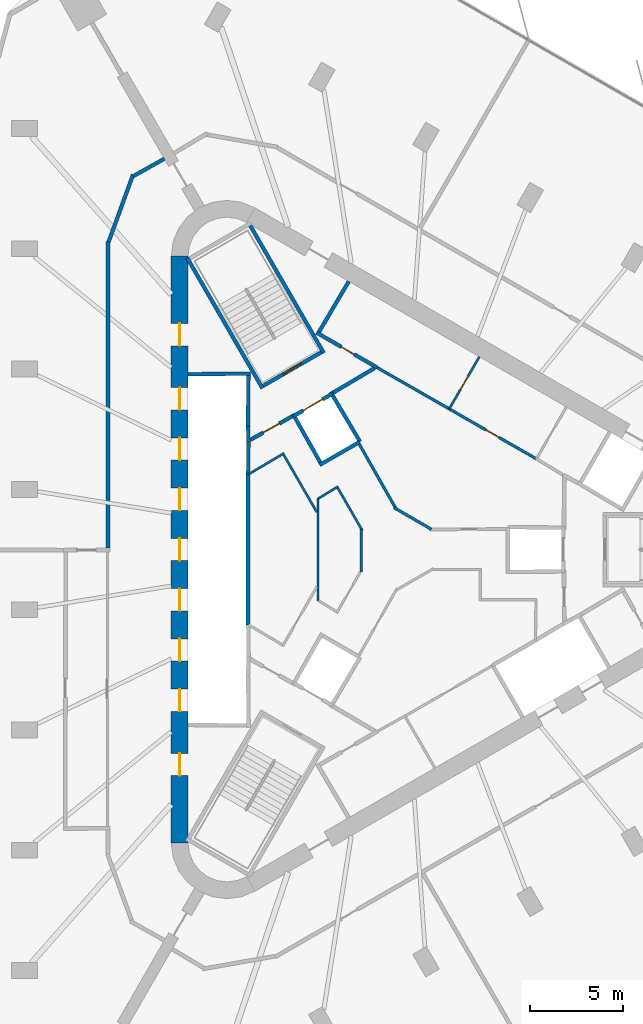
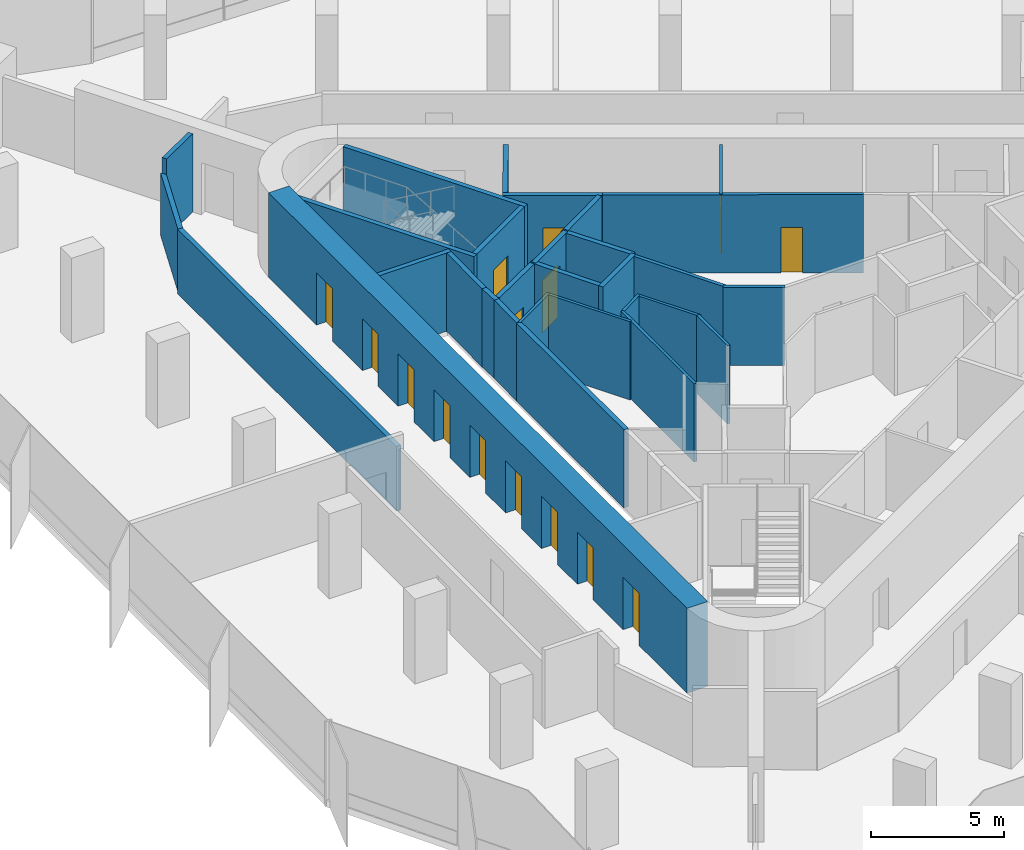
# One storey, part 9 of 12: 30 walls, 15 doors, 15 openings.
"""IFC4 building model written with IfcOpenShell, lengths in metres."""

from ifc_helpers import new_model, si_unit, direction, frame, frame_2d, origin, place, context, subcontext, project, spatial, rectangle, extrude, material, layer, layer_set, type_object, element, fill, save


model = new_model("IFC4")

# Units and contexts
model_context = context("Model", 3, precision=1e-05, world=origin(), true_north=direction((0.0, 1.0)))
body_context = subcontext(model_context, "Body", "Model", "MODEL_VIEW")
ifc_project = project(units=[si_unit("LENGTHUNIT", "METRE"), si_unit("AREAUNIT", "SQUARE_METRE"), si_unit("VOLUMEUNIT", "CUBIC_METRE"), si_unit("PLANEANGLEUNIT", "RADIAN"), si_unit("MASSUNIT", "GRAM", prefix="KILO")], contexts=[model_context])

# Site, building, storey
site_placement = place(None, origin())
site = spatial("IfcSite", under=ifc_project, at=site_placement, CompositionType="ELEMENT")
building_placement = place(site_placement, origin())
building = spatial("IfcBuilding", under=site, at=building_placement, Name="Tanit Gate Tower", CompositionType="ELEMENT")
storey_placement = place(building_placement, frame((0.0, 0.0, 337.699951171875)))
storey = spatial("IfcBuildingStorey", under=building, at=storey_placement, Name="L76", CompositionType="ELEMENT", Elevation=337.699951171875)

# Wall, openings, doors
ifc_material_1 = material(Name="Concrete C40/50", Category="concrete")
ifc_layer_1 = layer(ifc_material_1, 0.89990234375)
ifc_layer_set_1 = layer_set([ifc_layer_1], Name="CORE WALL 900 C40/50")
wall_type_1 = type_object("IfcWallType", Name="CORE WALL 900 C40/50", PredefinedType="SHEAR", material=ifc_layer_set_1)
wall_1_placement = place(storey_placement, frame((-11.64990234375, 15.76171875, 0.0), z_axis=(0.0, 0.0, 1.0), x_axis=(0.0, -1.0, 0.0)))
wall_1 = element("IfcWall", 1, at=wall_1_placement, inside=storey, type_object=wall_type_1, Name="CORE WALL", PredefinedType="SHEAR", context=body_context, shape_type="SweptSolid", body=[
    extrude(rectangle(XDim=31.5234375, YDim=0.89990234375, at=frame_2d((15.76171875, 0.0))), origin(), (0.0, 0.0, 1.0), 3.900146484375),
])
opening_1_placement = place(wall_1_placement, frame((7.061767578125, 0.0, 0.0)))
opening_1 = element("IfcOpeningElement", 2, at=opening_1_placement, cuts=wall_1, Name="Opening LDHL1-S21", PredefinedType="OPENING", context=body_context, shape_type="SweptSolid", body=[
    extrude(rectangle(XDim=1.199951171875, YDim=2.39990234375, at=frame_2d((0.60009765625, 1.199951171875))), frame((0.0, 0.4599609375, 0.0), z_axis=(0.0, -1.0, 0.0), x_axis=(1.0, 0.0, 0.0)), (0.0, 0.0, 1.0), 0.919921875),
])
opening_2_placement = place(wall_1_placement, frame((9.76171875, 0.0, 0.0)))
opening_2 = element("IfcOpeningElement", 3, at=opening_2_placement, cuts=wall_1, Name="Opening LDHL2-S21", PredefinedType="OPENING", context=body_context, shape_type="SweptSolid", body=[
    extrude(rectangle(XDim=1.199951171875, YDim=2.39990234375, at=frame_2d((0.60009765625, 1.199951171875))), frame((0.0, 0.4599609375, 0.0), z_axis=(0.0, -1.0, 0.0), x_axis=(1.0, 0.0, 0.0)), (0.0, 0.0, 1.0), 0.919921875),
])
opening_3_placement = place(wall_1_placement, frame((12.461669921875, 0.0, 0.0)))
opening_3 = element("IfcOpeningElement", 4, at=opening_3_placement, cuts=wall_1, Name="Opening LDHL3-S21", PredefinedType="OPENING", context=body_context, shape_type="SweptSolid", body=[
    extrude(rectangle(XDim=1.199951171875, YDim=2.39990234375, at=frame_2d((0.60009765625, 1.199951171875))), frame((0.0, 0.4599609375, 0.0), z_axis=(0.0, -1.0, 0.0), x_axis=(1.0, 0.0, 0.0)), (0.0, 0.0, 1.0), 0.919921875),
])
opening_4_placement = place(wall_1_placement, frame((15.16162109375, 0.0, 0.0)))
opening_4 = element("IfcOpeningElement", 5, at=opening_4_placement, cuts=wall_1, Name="Opening LDHL4-S21", PredefinedType="OPENING", context=body_context, shape_type="SweptSolid", body=[
    extrude(rectangle(XDim=1.199951171875, YDim=2.39990234375, at=frame_2d((0.60009765625, 1.199951171875))), frame((0.0, 0.4599609375, 0.0), z_axis=(0.0, -1.0, 0.0), x_axis=(1.0, 0.0, 0.0)), (0.0, 0.0, 1.0), 0.919921875),
])
opening_5_placement = place(wall_1_placement, frame((17.86181640625, 0.0, 0.0)))
opening_5 = element("IfcOpeningElement", 6, at=opening_5_placement, cuts=wall_1, Name="Opening LDHL5-S21", PredefinedType="OPENING", context=body_context, shape_type="SweptSolid", body=[
    extrude(rectangle(XDim=1.199951171875, YDim=2.39990234375, at=frame_2d((0.60009765625, 1.199951171875))), frame((0.0, 0.4599609375, 0.0), z_axis=(0.0, -1.0, 0.0), x_axis=(1.0, 0.0, 0.0)), (0.0, 0.0, 1.0), 0.919921875),
])
opening_6_placement = place(wall_1_placement, frame((20.561767578125, 0.0, 0.0)))
opening_6 = element("IfcOpeningElement", 7, at=opening_6_placement, cuts=wall_1, Name="Opening LDHL6-S21", PredefinedType="OPENING", context=body_context, shape_type="SweptSolid", body=[
    extrude(rectangle(XDim=1.199951171875, YDim=2.39990234375, at=frame_2d((0.60009765625, 1.199951171875))), frame((0.0, 0.4599609375, 0.0), z_axis=(0.0, -1.0, 0.0), x_axis=(1.0, 0.0, 0.0)), (0.0, 0.0, 1.0), 0.919921875),
])
opening_7_placement = place(wall_1_placement, frame((23.26171875, 0.0, 0.0)))
opening_7 = element("IfcOpeningElement", 8, at=opening_7_placement, cuts=wall_1, Name="Opening LDHL7-S21", PredefinedType="OPENING", context=body_context, shape_type="SweptSolid", body=[
    extrude(rectangle(XDim=1.199951171875, YDim=2.39990234375, at=frame_2d((0.60009765625, 1.199951171875))), frame((0.0, 0.4599609375, 0.0), z_axis=(0.0, -1.0, 0.0), x_axis=(1.0, 0.0, 0.0)), (0.0, 0.0, 1.0), 0.919921875),
])
opening_8_placement = place(wall_1_placement, frame((3.61181640625, 0.0, 0.0)))
opening_8 = element("IfcOpeningElement", 9, at=opening_8_placement, cuts=wall_1, Name="Opening F12-S21-FL2", PredefinedType="OPENING", context=body_context, shape_type="SweptSolid", body=[
    extrude(rectangle(XDim=1.199951171875, YDim=2.39990234375, at=frame_2d((0.60009765625, 1.199951171875))), frame((0.0, 0.4599609375, 0.0), z_axis=(0.0, -1.0, 0.0), x_axis=(1.0, 0.0, 0.0)), (0.0, 0.0, 1.0), 0.919921875),
])
opening_9_placement = place(wall_1_placement, frame((26.711669921875, 0.0, 0.0)))
opening_9 = element("IfcOpeningElement", 10, at=opening_9_placement, cuts=wall_1, Name="Opening F12-S21-S3", PredefinedType="OPENING", context=body_context, shape_type="SweptSolid", body=[
    extrude(rectangle(XDim=1.199951171875, YDim=2.39990234375, at=frame_2d((0.60009765625, 1.199951171875))), frame((0.0, 0.4599609375, 0.0), z_axis=(0.0, -1.0, 0.0), x_axis=(1.0, 0.0, 0.0)), (0.0, 0.0, 1.0), 0.919921875),
])
ifc_material_2 = material(Name="Fire-rated steel door leaf", Category="steel")
door_type_1 = type_object("IfcDoorType", Name="INT-DOOR-FIRE-LOBBY-1200", OperationType="NOTDEFINED", PredefinedType="USERDEFINED", material=ifc_material_2)
door_1_placement = place(opening_8_placement, origin())
door_1 = element("IfcDoor", 11, at=door_1_placement, inside=storey, type_object=door_type_1, Name="Door F12-S21-FL2", ObjectType="FIRE DOOR", OperationType="SINGLE_SWING_RIGHT", OverallHeight=2.39990234375, OverallWidth=1.199951171875, PredefinedType="USERDEFINED", context=body_context, shape_type="SweptSolid", body=[
    extrude(rectangle(XDim=1.199951171875, YDim=2.39990234375, at=frame_2d((0.60009765625, 1.199951171875))), frame((0.0, 0.02490234375, 0.0), z_axis=(0.0, -1.0, 0.0), x_axis=(1.0, 0.0, 0.0)), (0.0, 0.0, 1.0), 0.050048828125),
])
fill(opening_8, door_1)
door_2_placement = place(opening_9_placement, origin())
door_2 = element("IfcDoor", 12, at=door_2_placement, inside=storey, type_object=door_type_1, Name="Door F12-S21-S3", ObjectType="FIRE DOOR", OperationType="SINGLE_SWING_RIGHT", OverallHeight=2.39990234375, OverallWidth=1.199951171875, PredefinedType="USERDEFINED", context=body_context, shape_type="SweptSolid", body=[
    extrude(rectangle(XDim=1.199951171875, YDim=2.39990234375, at=frame_2d((0.60009765625, 1.199951171875))), frame((0.0, 0.02490234375, 0.0), z_axis=(0.0, -1.0, 0.0), x_axis=(1.0, 0.0, 0.0)), (0.0, 0.0, 1.0), 0.050048828125),
])
fill(opening_9, door_2)
ifc_material_3 = material(Name="Stainless steel sliding door leaf", Category="steel")
door_type_2 = type_object("IfcDoorType", Name="INT-DOOR-LANDING-1200", OperationType="NOTDEFINED", PredefinedType="USERDEFINED", material=ifc_material_3)
door_3_placement = place(opening_1_placement, origin())
door_3 = element("IfcDoor", 13, at=door_3_placement, inside=storey, type_object=door_type_2, Name="Door LDHL1-S21", ObjectType="LANDING DOOR", OperationType="SLIDING_TO_LEFT", OverallHeight=2.39990234375, OverallWidth=1.199951171875, PredefinedType="USERDEFINED", context=body_context, shape_type="SweptSolid", body=[
    extrude(rectangle(XDim=1.199951171875, YDim=2.39990234375, at=frame_2d((0.60009765625, 1.199951171875))), frame((0.0, 0.02490234375, 0.0), z_axis=(0.0, -1.0, 0.0), x_axis=(1.0, 0.0, 0.0)), (0.0, 0.0, 1.0), 0.050048828125),
])
fill(opening_1, door_3)
door_4_placement = place(opening_2_placement, origin())
door_4 = element("IfcDoor", 14, at=door_4_placement, inside=storey, type_object=door_type_2, Name="Door LDHL2-S21", ObjectType="LANDING DOOR", OperationType="SLIDING_TO_LEFT", OverallHeight=2.39990234375, OverallWidth=1.199951171875, PredefinedType="USERDEFINED", context=body_context, shape_type="SweptSolid", body=[
    extrude(rectangle(XDim=1.199951171875, YDim=2.39990234375, at=frame_2d((0.60009765625, 1.199951171875))), frame((0.0, 0.02490234375, 0.0), z_axis=(0.0, -1.0, 0.0), x_axis=(1.0, 0.0, 0.0)), (0.0, 0.0, 1.0), 0.050048828125),
])
fill(opening_2, door_4)
door_5_placement = place(opening_3_placement, origin())
door_5 = element("IfcDoor", 15, at=door_5_placement, inside=storey, type_object=door_type_2, Name="Door LDHL3-S21", ObjectType="LANDING DOOR", OperationType="SLIDING_TO_LEFT", OverallHeight=2.39990234375, OverallWidth=1.199951171875, PredefinedType="USERDEFINED", context=body_context, shape_type="SweptSolid", body=[
    extrude(rectangle(XDim=1.199951171875, YDim=2.39990234375, at=frame_2d((0.60009765625, 1.199951171875))), frame((0.0, 0.02490234375, 0.0), z_axis=(0.0, -1.0, 0.0), x_axis=(1.0, 0.0, 0.0)), (0.0, 0.0, 1.0), 0.050048828125),
])
fill(opening_3, door_5)
door_6_placement = place(opening_4_placement, origin())
door_6 = element("IfcDoor", 16, at=door_6_placement, inside=storey, type_object=door_type_2, Name="Door LDHL4-S21", ObjectType="LANDING DOOR", OperationType="SLIDING_TO_LEFT", OverallHeight=2.39990234375, OverallWidth=1.199951171875, PredefinedType="USERDEFINED", context=body_context, shape_type="SweptSolid", body=[
    extrude(rectangle(XDim=1.199951171875, YDim=2.39990234375, at=frame_2d((0.60009765625, 1.199951171875))), frame((0.0, 0.02490234375, 0.0), z_axis=(0.0, -1.0, 0.0), x_axis=(1.0, 0.0, 0.0)), (0.0, 0.0, 1.0), 0.050048828125),
])
fill(opening_4, door_6)
door_7_placement = place(opening_5_placement, origin())
door_7 = element("IfcDoor", 17, at=door_7_placement, inside=storey, type_object=door_type_2, Name="Door LDHL5-S21", ObjectType="LANDING DOOR", OperationType="SLIDING_TO_LEFT", OverallHeight=2.39990234375, OverallWidth=1.199951171875, PredefinedType="USERDEFINED", context=body_context, shape_type="SweptSolid", body=[
    extrude(rectangle(XDim=1.199951171875, YDim=2.39990234375, at=frame_2d((0.60009765625, 1.199951171875))), frame((0.0, 0.02490234375, 0.0), z_axis=(0.0, -1.0, 0.0), x_axis=(1.0, 0.0, 0.0)), (0.0, 0.0, 1.0), 0.050048828125),
])
fill(opening_5, door_7)
door_8_placement = place(opening_6_placement, origin())
door_8 = element("IfcDoor", 18, at=door_8_placement, inside=storey, type_object=door_type_2, Name="Door LDHL6-S21", ObjectType="LANDING DOOR", OperationType="SLIDING_TO_LEFT", OverallHeight=2.39990234375, OverallWidth=1.199951171875, PredefinedType="USERDEFINED", context=body_context, shape_type="SweptSolid", body=[
    extrude(rectangle(XDim=1.199951171875, YDim=2.39990234375, at=frame_2d((0.60009765625, 1.199951171875))), frame((0.0, 0.02490234375, 0.0), z_axis=(0.0, -1.0, 0.0), x_axis=(1.0, 0.0, 0.0)), (0.0, 0.0, 1.0), 0.050048828125),
])
fill(opening_6, door_8)
door_9_placement = place(opening_7_placement, origin())
door_9 = element("IfcDoor", 19, at=door_9_placement, inside=storey, type_object=door_type_2, Name="Door LDHL7-S21", ObjectType="LANDING DOOR", OperationType="SLIDING_TO_LEFT", OverallHeight=2.39990234375, OverallWidth=1.199951171875, PredefinedType="USERDEFINED", context=body_context, shape_type="SweptSolid", body=[
    extrude(rectangle(XDim=1.199951171875, YDim=2.39990234375, at=frame_2d((0.60009765625, 1.199951171875))), frame((0.0, 0.02490234375, 0.0), z_axis=(0.0, -1.0, 0.0), x_axis=(1.0, 0.0, 0.0)), (0.0, 0.0, 1.0), 0.050048828125),
])
fill(opening_7, door_9)

# Wall, opening, door
ifc_material_4 = material(Name="Fire-rated gypsum board partition")
ifc_layer_2 = layer(ifc_material_4, 0.199951171875)
ifc_layer_set_2 = layer_set([ifc_layer_2], Name="INT-WALL-COMPARTMENT")
wall_type_2 = type_object("IfcWallType", Name="INT-WALL-COMPARTMENT", PredefinedType="PARTITIONING", material=ifc_layer_set_2)
wall_2_placement = place(storey_placement, frame((-4.295654296875, 11.659912109375, 0.0), z_axis=(0.0, 0.0, 1.0), x_axis=(0.866027389382, -0.499996560828, 0.0)))
wall_2 = element("IfcWall", 20, at=wall_2_placement, inside=storey, type_object=wall_type_2, Name="Wall Compartment W049", PredefinedType="PARTITIONING", context=body_context, shape_type="SweptSolid", body=[
    extrude(rectangle(XDim=3.77783203125, YDim=0.199951171875, at=frame_2d((1.888916015625, 0.0))), origin(), (0.0, 0.0, 1.0), 3.60009765625),
])
opening_10_placement = place(wall_2_placement, frame((1.538818359375, 0.0, 0.0)))
opening_10 = element("IfcOpeningElement", 21, at=opening_10_placement, cuts=wall_2, Name="Opening R08-S21-16", PredefinedType="OPENING", context=body_context, shape_type="SweptSolid", body=[
    extrude(rectangle(XDim=0.800048828125, YDim=2.10009765625, at=frame_2d((0.39990234375, 1.050048828125))), frame((0.0, 0.10986328125, 0.0), z_axis=(0.0, -1.0, 0.0), x_axis=(1.0, 0.0, 0.0)), (0.0, 0.0, 1.0), 0.219970703125),
])
ifc_material_5 = material(Name="Timber door leaf", Category="wood")
door_type_3 = type_object("IfcDoorType", Name="INT-DOOR-RISER-800", OperationType="NOTDEFINED", PredefinedType="USERDEFINED", material=ifc_material_5)
door_10_placement = place(opening_10_placement, origin())
door_10 = element("IfcDoor", 22, at=door_10_placement, inside=storey, type_object=door_type_3, Name="Door R08-S21-16", ObjectType="FIRE DOOR", OperationType="SINGLE_SWING_RIGHT", OverallHeight=2.10009765625, OverallWidth=0.800048828125, PredefinedType="USERDEFINED", context=body_context, shape_type="SweptSolid", body=[
    extrude(rectangle(XDim=0.800048828125, YDim=2.10009765625, at=frame_2d((0.39990234375, 1.050048828125))), frame((0.0, 0.02490234375, 0.0), z_axis=(0.0, -1.0, 0.0), x_axis=(1.0, 0.0, 0.0)), (0.0, 0.0, 1.0), 0.050048828125),
])
fill(opening_10, door_10)

# Walls
wall_3_placement = place(storey_placement, frame((-2.557861328125, 14.409423828125, 0.0), z_axis=(0.0, 0.0, 1.0), x_axis=(-0.508018930956, -0.861345903683, 0.0)))
element("IfcWall", 23, at=wall_3_placement, inside=storey, type_object=wall_type_2, Name="Wall Compartment W050", PredefinedType="PARTITIONING", context=body_context, shape_type="SweptSolid", body=[
    extrude(rectangle(XDim=3.150146484375, YDim=0.199951171875, at=frame_2d((1.5751953125, 0.0))), origin(), (0.0, 0.0, 1.0), 3.60009765625),
])
wall_4_placement = place(storey_placement, frame((-1.1787109375, 9.744873046875, 0.0), z_axis=(0.0, 0.0, 1.0), x_axis=(-0.860630814782, -0.509229418482, 0.0)))
element("IfcWall", 24, at=wall_4_placement, inside=storey, type_object=wall_type_2, Name="Wall Compartment W061", PredefinedType="PARTITIONING", context=body_context, shape_type="SweptSolid", body=[
    extrude(rectangle(XDim=2.581787109375, YDim=0.199951171875, at=frame_2d((1.291015625, 0.0))), origin(), (0.0, 0.0, 1.0), 3.60009765625),
])

# Wall, opening, door
wall_5_placement = place(storey_placement, frame((-5.600341796875, 7.16015625, 0.0), z_axis=(0.0, 0.0, 1.0), x_axis=(-0.871363259478, -0.490638431059, 0.0)))
wall_5 = element("IfcWall", 25, at=wall_5_placement, inside=storey, type_object=wall_type_2, Name="Wall Compartment W062", PredefinedType="PARTITIONING", context=body_context, shape_type="SweptSolid", body=[
    extrude(rectangle(XDim=2.5810546875, YDim=0.199951171875, at=frame_2d((1.29052734375, 0.0))), origin(), (0.0, 0.0, 1.0), 3.60009765625),
])
opening_11_placement = place(wall_5_placement, frame((0.79052734375, 0.0, 0.0)))
opening_11 = element("IfcOpeningElement", 26, at=opening_11_placement, cuts=wall_5, Name="Opening F10-S21-05", PredefinedType="OPENING", context=body_context, shape_type="SweptSolid", body=[
    extrude(rectangle(XDim=1.0, YDim=2.10009765625, at=frame_2d((0.5, 1.050048828125))), frame((0.0, 0.10986328125, 0.0), z_axis=(0.0, -1.0, 0.0), x_axis=(1.0, 0.0, 0.0)), (0.0, 0.0, 1.0), 0.219970703125),
])
ifc_material_6 = material(Name="Fire-rated steel door leaf", Category="steel")
door_type_4 = type_object("IfcDoorType", Name="INT-DOOR-FIRE-1000", OperationType="NOTDEFINED", PredefinedType="USERDEFINED", material=ifc_material_6)
door_11_placement = place(opening_11_placement, origin())
door_11 = element("IfcDoor", 27, at=door_11_placement, inside=storey, type_object=door_type_4, Name="Door F10-S21-05", ObjectType="FIRE DOOR", OperationType="SINGLE_SWING_RIGHT", OverallHeight=2.10009765625, OverallWidth=1.0, PredefinedType="USERDEFINED", context=body_context, shape_type="SweptSolid", body=[
    extrude(rectangle(XDim=1.0, YDim=2.10009765625, at=frame_2d((0.5, 1.050048828125))), frame((0.0, 0.02490234375, 0.0), z_axis=(0.0, -1.0, 0.0), x_axis=(1.0, 0.0, 0.0)), (0.0, 0.0, 1.0), 0.050048828125),
])
fill(opening_11, door_11)

# Walls
wall_6_placement = place(storey_placement, frame((-15.5, 16.54052734375, 0.0), z_axis=(0.0, 0.0, 1.0), x_axis=(0.0, -1.0, 0.0)))
element("IfcWall", 28, at=wall_6_placement, inside=storey, type_object=wall_type_2, Name="Wall Compartment W091", PredefinedType="PARTITIONING", context=body_context, shape_type="SweptSolid", body=[
    extrude(rectangle(XDim=16.470458984375, YDim=0.199951171875, at=frame_2d((8.2353515625, 0.0))), origin(), (0.0, 0.0, 1.0), 2.969970703125),
])
wall_7_placement = place(storey_placement, frame((-14.15234375, 20.143310546875, 0.0), z_axis=(0.0, 0.0, 1.0), x_axis=(-0.342008467257, -0.939696870445, 0.0)))
element("IfcWall", 29, at=wall_7_placement, inside=storey, type_object=wall_type_2, Name="Wall Compartment W092", PredefinedType="PARTITIONING", context=body_context, shape_type="SweptSolid", body=[
    extrude(rectangle(XDim=3.840576171875, YDim=0.199951171875, at=frame_2d((1.92041015625, 0.0))), origin(), (0.0, 0.0, 1.0), 2.880126953125),
])
wall_8_placement = place(storey_placement, frame((-12.469970703125, 20.99853515625, 0.0), z_axis=(0.0, 0.0, 1.0), x_axis=(-0.872542788959, -0.488537697046, 0.0)))
element("IfcWall", 30, at=wall_8_placement, inside=storey, type_object=wall_type_2, Name="Wall Compartment W093", PredefinedType="PARTITIONING", context=body_context, shape_type="SweptSolid", body=[
    extrude(rectangle(XDim=1.924560546875, YDim=0.199951171875, at=frame_2d((0.96240234375, 0.0))), origin(), (0.0, 0.0, 1.0), 3.60009765625),
])

# Wall, opening, door
ifc_material_7 = material(Name="Gypsum board partition")
ifc_layer_3 = layer(ifc_material_7, 0.1201171875)
ifc_layer_set_3 = layer_set([ifc_layer_3], Name="INT-WALL-PARTITION")
wall_type_3 = type_object("IfcWallType", Name="INT-WALL-PARTITION", PredefinedType="PARTITIONING", material=ifc_layer_set_3)
wall_9_placement = place(storey_placement, frame((2.831787109375, 7.544921875, 0.0), z_axis=(0.0, 0.0, 1.0), x_axis=(0.500017246033, 0.866015446554, 0.0)))
wall_9 = element("IfcWall", 31, at=wall_9_placement, inside=storey, type_object=wall_type_3, Name="Wall Partition W047", PredefinedType="PARTITIONING", context=body_context, shape_type="SweptSolid", body=[
    extrude(rectangle(XDim=3.25, YDim=0.1201171875, at=frame_2d((1.625, 0.0))), origin(), (0.0, 0.0, 1.0), 3.60009765625),
])
opening_12_placement = place(wall_9_placement, frame((1.22509765625, 0.0, 0.0)))
opening_12 = element("IfcOpeningElement", 32, at=opening_12_placement, cuts=wall_9, Name="Opening R08-S21-15", PredefinedType="OPENING", context=body_context, shape_type="SweptSolid", body=[
    extrude(rectangle(XDim=0.800048828125, YDim=2.10009765625, at=frame_2d((0.39990234375, 1.050048828125))), frame((0.0, 0.070068359375, 0.0), z_axis=(0.0, -1.0, 0.0), x_axis=(1.0, 0.0, 0.0)), (0.0, 0.0, 1.0), 0.14013671875),
])
door_12_placement = place(opening_12_placement, origin())
door_12 = element("IfcDoor", 33, at=door_12_placement, inside=storey, type_object=door_type_3, Name="Door R08-S21-15", ObjectType="FIRE DOOR", OperationType="SINGLE_SWING_LEFT", OverallHeight=2.10009765625, OverallWidth=0.800048828125, PredefinedType="USERDEFINED", context=body_context, shape_type="SweptSolid", body=[
    extrude(rectangle(XDim=0.800048828125, YDim=2.10009765625, at=frame_2d((0.39990234375, 1.050048828125))), frame((0.0, 0.02490234375, 0.0), z_axis=(0.0, -1.0, 0.0), x_axis=(1.0, 0.0, 0.0)), (0.0, 0.0, 1.0), 0.050048828125),
])
fill(opening_12, door_12)

# Walls
wall_10_placement = place(storey_placement, frame((-4.21875, -2.760498046875, 0.0), z_axis=(0.0, 0.0, 1.0), x_axis=(0.0, 1.0, 0.0)))
element("IfcWall", 34, at=wall_10_placement, inside=storey, type_object=wall_type_3, Name="Wall Partition W074", PredefinedType="PARTITIONING", context=body_context, shape_type="SweptSolid", body=[
    extrude(rectangle(XDim=5.52099609375, YDim=0.1201171875, at=frame_2d((2.760498046875, 0.0))), origin(), (0.0, 0.0, 1.0), 3.60009765625),
])
wall_11_placement = place(storey_placement, frame((-6.03662109375, 5.17578125, 0.0), z_axis=(0.0, 0.0, 1.0), x_axis=(-0.860106072674, -0.510115225953, 0.0)))
element("IfcWall", 35, at=wall_11_placement, inside=storey, type_object=wall_type_3, Name="Wall Partition W077", PredefinedType="PARTITIONING", context=body_context, shape_type="SweptSolid", body=[
    extrude(rectangle(XDim=2.224609375, YDim=0.1201171875, at=frame_2d((1.1123046875, 0.0))), origin(), (0.0, 0.0, 1.0), 3.60009765625),
])
wall_12_placement = place(storey_placement, frame((-4.27880859375, 2.01123046875, 0.0), z_axis=(0.0, 0.0, 1.0), x_axis=(-0.500027278734, 0.866009653827, 0.0)))
element("IfcWall", 36, at=wall_12_placement, inside=storey, type_object=wall_type_3, Name="Wall Partition W078", PredefinedType="PARTITIONING", context=body_context, shape_type="SweptSolid", body=[
    extrude(rectangle(XDim=3.558837890625, YDim=0.1201171875, at=frame_2d((1.779296875, 0.0))), origin(), (0.0, 0.0, 1.0), 3.60009765625),
])
wall_13_placement = place(storey_placement, frame((-3.1298828125, 3.390869140625, 0.0), z_axis=(0.0, 0.0, 1.0), x_axis=(-0.853228335638, -0.521537541567, 0.0)))
element("IfcWall", 37, at=wall_13_placement, inside=storey, type_object=wall_type_3, Name="Wall Partition W079", PredefinedType="PARTITIONING", context=body_context, shape_type="SweptSolid", body=[
    extrude(rectangle(XDim=1.240966796875, YDim=0.1201171875, at=frame_2d((0.62060546875, 0.0))), origin(), (0.0, 0.0, 1.0), 3.60009765625),
])
wall_14_placement = place(storey_placement, frame((-1.83154296875, 1.0224609375, 0.0), z_axis=(0.0, 0.0, 1.0), x_axis=(-0.500000102728, 0.866025344474, 0.0)))
element("IfcWall", 38, at=wall_14_placement, inside=storey, type_object=wall_type_3, Name="Wall Partition W080", PredefinedType="PARTITIONING", context=body_context, shape_type="SweptSolid", body=[
    extrude(rectangle(XDim=2.638671875, YDim=0.1201171875, at=frame_2d((1.3193359375, 0.0))), origin(), (0.0, 0.0, 1.0), 3.60009765625),
])
wall_15_placement = place(storey_placement, frame((-1.883544921875, -1.21630859375, 0.0), z_axis=(0.0, 0.0, 1.0), x_axis=(0.0, 1.0, 0.0)))
element("IfcWall", 39, at=wall_15_placement, inside=storey, type_object=wall_type_3, Name="Wall Partition W081", PredefinedType="PARTITIONING", context=body_context, shape_type="SweptSolid", body=[
    extrude(rectangle(XDim=2.310302734375, YDim=0.1201171875, at=frame_2d((1.1552734375, 0.0))), origin(), (0.0, 0.0, 1.0), 3.60009765625),
])

# Wall, opening, door
ifc_material_8 = material(Name="Fire-rated gypsum board partition")
ifc_layer_4 = layer(ifc_material_8, 0.14990234375)
ifc_layer_set_4 = layer_set([ifc_layer_4], Name="INT-WALL-RISER")
wall_type_4 = type_object("IfcWallType", Name="INT-WALL-RISER", PredefinedType="PLUMBINGWALL", material=ifc_layer_set_4)
wall_16_placement = place(storey_placement, frame((7.497314453125, 4.885986328125, 0.0), z_axis=(0.0, 0.0, 1.0), x_axis=(-0.867541725638, 0.497364407931, 0.0)))
wall_16 = element("IfcWall", 40, at=wall_16_placement, inside=storey, type_object=wall_type_4, Name="Wall Riser W048", PredefinedType="PLUMBINGWALL", context=body_context, shape_type="SweptSolid", body=[
    extrude(rectangle(XDim=9.822265625, YDim=0.14990234375, at=frame_2d((4.9111328125, 0.0))), origin(), (0.0, 0.0, 1.0), 3.60009765625),
])
opening_13_placement = place(wall_16_placement, frame((2.300048828125, 0.0, 0.0)))
opening_13 = element("IfcOpeningElement", 41, at=opening_13_placement, cuts=wall_16, Name="Opening R08-S21-20", PredefinedType="OPENING", context=body_context, shape_type="SweptSolid", body=[
    extrude(rectangle(XDim=0.800048828125, YDim=2.10009765625, at=frame_2d((0.39990234375, 1.050048828125))), frame((0.0, 0.0849609375, 0.0), z_axis=(0.0, -1.0, 0.0), x_axis=(1.0, 0.0, 0.0)), (0.0, 0.0, 1.0), 0.169921875),
])
door_13_placement = place(opening_13_placement, origin())
door_13 = element("IfcDoor", 42, at=door_13_placement, inside=storey, type_object=door_type_3, Name="Door R08-S21-20", ObjectType="FIRE DOOR", OperationType="SINGLE_SWING_RIGHT", OverallHeight=2.10009765625, OverallWidth=0.800048828125, PredefinedType="USERDEFINED", context=body_context, shape_type="SweptSolid", body=[
    extrude(rectangle(XDim=0.800048828125, YDim=2.10009765625, at=frame_2d((0.39990234375, 1.050048828125))), frame((0.0, 0.02490234375, 0.0), z_axis=(0.0, -1.0, 0.0), x_axis=(1.0, 0.0, 0.0)), (0.0, 0.0, 1.0), 0.050048828125),
])
fill(opening_13, door_13)

# Walls
wall_17_placement = place(storey_placement, frame((-0.13232421875, 2.25146484375, 0.0), z_axis=(0.0, 0.0, 1.0), x_axis=(0.866028486751, -0.499994660107, 0.0)))
element("IfcWall", 43, at=wall_17_placement, inside=storey, type_object=wall_type_4, Name="Wall Riser W066", PredefinedType="PLUMBINGWALL", context=body_context, shape_type="SweptSolid", body=[
    extrude(rectangle(XDim=2.3291015625, YDim=0.14990234375, at=frame_2d((1.16455078125, 0.0))), origin(), (0.0, 0.0, 1.0), 3.60009765625),
])
wall_18_placement = place(storey_placement, frame((-1.994140625, 5.661376953125, 0.0), z_axis=(0.0, 0.0, 1.0), x_axis=(0.493780191404, -0.869586753911, 0.0)))
element("IfcWall", 44, at=wall_18_placement, inside=storey, type_object=wall_type_4, Name="Wall Riser W067", PredefinedType="PLUMBINGWALL", context=body_context, shape_type="SweptSolid", body=[
    extrude(rectangle(XDim=3.97119140625, YDim=0.14990234375, at=frame_2d((1.985595703125, 0.0))), origin(), (0.0, 0.0, 1.0), 3.60009765625),
])
ifc_material_9 = material(Name="Gypsum shaft wall system")
ifc_layer_5 = layer(ifc_material_9, 0.199951171875)
ifc_layer_set_5 = layer_set([ifc_layer_5], Name="INT-WALL-SHAFT")
wall_type_5 = type_object("IfcWallType", Name="INT-WALL-SHAFT", PredefinedType="PLUMBINGWALL", material=ifc_layer_set_5)
wall_19_placement = place(storey_placement, frame((-11.199951171875, 9.419921875, 0.0), z_axis=(0.0, 0.0, 1.0), x_axis=(0.999957167047, 0.009255488683, 0.0)))
element("IfcWall", 45, at=wall_19_placement, inside=storey, type_object=wall_type_5, Name="Wall Shaft W001", PredefinedType="PLUMBINGWALL", context=body_context, shape_type="SweptSolid", body=[
    extrude(rectangle(XDim=3.35009765625, YDim=0.199951171875, at=frame_2d((1.675048828125, 0.0))), origin(), (0.0, 0.0, 1.0), 3.60009765625),
])
wall_20_placement = place(storey_placement, frame((-7.951171875, 9.35009765625, 0.0), z_axis=(0.0, 0.0, 1.0), x_axis=(-0.011120469654, -0.999938165666, 0.0)))
element("IfcWall", 46, at=wall_20_placement, inside=storey, type_object=wall_type_5, Name="Wall Shaft W002", PredefinedType="PLUMBINGWALL", context=body_context, shape_type="SweptSolid", body=[
    extrude(rectangle(XDim=2.700439453125, YDim=0.199951171875, at=frame_2d((1.35009765625, 0.0))), origin(), (0.0, 0.0, 1.0), 3.60009765625),
])
wall_21_placement = place(storey_placement, frame((-7.97705078125, 6.650146484375, 0.0), z_axis=(0.0, 0.0, 1.0), x_axis=(0.030861509705, -0.999523670164, 0.0)))
element("IfcWall", 47, at=wall_21_placement, inside=storey, type_object=wall_type_5, Name="Wall Shaft W003", PredefinedType="PLUMBINGWALL", context=body_context, shape_type="SweptSolid", body=[
    extrude(rectangle(XDim=0.878173828125, YDim=0.199951171875, at=frame_2d((0.43896484375, 0.0))), origin(), (0.0, 0.0, 1.0), 3.60009765625),
])
wall_22_placement = place(storey_placement, frame((-7.94921875, 5.894775390625, 0.0), z_axis=(0.0, 0.0, 1.0), x_axis=(-0.012042535896, -0.999927486035, 0.0)))
element("IfcWall", 48, at=wall_22_placement, inside=storey, type_object=wall_type_5, Name="Wall Shaft W004", PredefinedType="PLUMBINGWALL", context=body_context, shape_type="SweptSolid", body=[
    extrude(rectangle(XDim=1.844970703125, YDim=0.199951171875, at=frame_2d((0.92236328125, 0.0))), origin(), (0.0, 0.0, 1.0), 3.60009765625),
])
wall_23_placement = place(storey_placement, frame((-7.97998046875, 4.050048828125, 0.0), z_axis=(0.0, 0.0, 1.0), x_axis=(0.0, -1.0, 0.0)))
element("IfcWall", 49, at=wall_23_placement, inside=storey, type_object=wall_type_5, Name="Wall Shaft W005", PredefinedType="PLUMBINGWALL", context=body_context, shape_type="SweptSolid", body=[
    extrude(rectangle(XDim=8.10009765625, YDim=0.199951171875, at=frame_2d((4.050048828125, 0.0))), origin(), (0.0, 0.0, 1.0), 3.60009765625),
])

# Wall, opening, door
wall_24_placement = place(storey_placement, frame((-5.524169921875, 7.168212890625, 0.0), z_axis=(0.0, 0.0, 1.0), x_axis=(0.866024647952, 0.500001309137, 0.0)))
wall_24 = element("IfcWall", 50, at=wall_24_placement, inside=storey, type_object=wall_type_5, Name="Wall Shaft W032", PredefinedType="PLUMBINGWALL", context=body_context, shape_type="SweptSolid", body=[
    extrude(rectangle(XDim=2.39990234375, YDim=0.199951171875, at=frame_2d((1.199951171875, 0.0))), origin(), (0.0, 0.0, 1.0), 3.60009765625),
])
opening_14_placement = place(wall_24_placement, frame((0.60009765625, 0.0, 0.0)))
opening_14 = element("IfcOpeningElement", 51, at=opening_14_placement, cuts=wall_24, Name="Opening LDFL2-L76", PredefinedType="OPENING", context=body_context, shape_type="SweptSolid", body=[
    extrude(rectangle(XDim=1.199951171875, YDim=2.39990234375, at=frame_2d((0.60009765625, 1.199951171875))), frame((0.0, 0.10986328125, 0.0), z_axis=(0.0, -1.0, 0.0), x_axis=(1.0, 0.0, 0.0)), (0.0, 0.0, 1.0), 0.219970703125),
])
door_14_placement = place(opening_14_placement, origin())
door_14 = element("IfcDoor", 52, at=door_14_placement, inside=storey, type_object=door_type_2, Name="Door LDFL2-L76", ObjectType="LANDING DOOR", OperationType="SLIDING_TO_LEFT", OverallHeight=2.39990234375, OverallWidth=1.199951171875, PredefinedType="USERDEFINED", context=body_context, shape_type="SweptSolid", body=[
    extrude(rectangle(XDim=1.199951171875, YDim=2.39990234375, at=frame_2d((0.60009765625, 1.199951171875))), frame((0.0, 0.02490234375, 0.0), z_axis=(0.0, -1.0, 0.0), x_axis=(1.0, 0.0, 0.0)), (0.0, 0.0, 1.0), 0.050048828125),
])
fill(opening_14, door_14)

# Walls
wall_25_placement = place(storey_placement, frame((-3.53759765625, 8.46533203125, 0.0), z_axis=(0.0, 0.0, 1.0), x_axis=(0.508647062354, -0.860975125052, 0.0)))
element("IfcWall", 53, at=wall_25_placement, inside=storey, type_object=wall_type_5, Name="Wall Shaft W033", PredefinedType="PLUMBINGWALL", context=body_context, shape_type="SweptSolid", body=[
    extrude(rectangle(XDim=3.10009765625, YDim=0.199951171875, at=frame_2d((1.550048828125, 0.0))), origin(), (0.0, 0.0, 1.0), 3.60009765625),
])
wall_26_placement = place(storey_placement, frame((-1.978515625, 5.785888671875, 0.0), z_axis=(0.0, 0.0, 1.0), x_axis=(-0.866016689309, -0.500015093611, 0.0)))
element("IfcWall", 54, at=wall_26_placement, inside=storey, type_object=wall_type_5, Name="Wall Shaft W034", PredefinedType="PLUMBINGWALL", context=body_context, shape_type="SweptSolid", body=[
    extrude(rectangle(XDim=2.4794921875, YDim=0.199951171875, at=frame_2d((1.23974609375, 0.0))), origin(), (0.0, 0.0, 1.0), 3.60009765625),
])
wall_27_placement = place(storey_placement, frame((-5.5625, 7.29638671875, 0.0), z_axis=(0.0, 0.0, 1.0), x_axis=(0.49134651263, -0.870964180966, 0.0)))
element("IfcWall", 55, at=wall_27_placement, inside=storey, type_object=wall_type_5, Name="Wall Shaft W035", PredefinedType="PLUMBINGWALL", context=body_context, shape_type="SweptSolid", body=[
    extrude(rectangle(XDim=3.000244140625, YDim=0.199951171875, at=frame_2d((1.5, 0.0))), origin(), (0.0, 0.0, 1.0), 3.60009765625),
])
ifc_material_10 = material(Name="Concrete C40/50", Category="concrete")
ifc_layer_6 = layer(ifc_material_10, 0.199951171875)
ifc_layer_set_6 = layer_set([ifc_layer_6], Name="INT-WALL-STAIR")
wall_type_6 = type_object("IfcWallType", Name="INT-WALL-STAIR", PredefinedType="SHEAR", material=ifc_layer_set_6)
wall_28_placement = place(storey_placement, frame((-11.245361328125, 15.677734375, -0.300048828125), z_axis=(0.0, 0.0, 1.0), x_axis=(0.499977274689, -0.866038523851, 0.0)))
element("IfcWall", 56, at=wall_28_placement, inside=storey, type_object=wall_type_6, Name="Wall Stair W028", PredefinedType="SHEAR", context=body_context, shape_type="SweptSolid", body=[
    extrude(rectangle(XDim=8.10009765625, YDim=0.199951171875, at=frame_2d((4.050048828125, 0.0))), origin(), (0.0, 0.0, 1.0), 3.900146484375),
])
wall_29_placement = place(storey_placement, frame((-7.8544921875, 17.404541015625, -0.300048828125), z_axis=(0.0, 0.0, 1.0), x_axis=(0.499997992926, -0.866026562566, 0.0)))
element("IfcWall", 57, at=wall_29_placement, inside=storey, type_object=wall_type_6, Name="Wall Stair W030", PredefinedType="SHEAR", context=body_context, shape_type="SweptSolid", body=[
    extrude(rectangle(XDim=7.89990234375, YDim=0.199951171875, at=frame_2d((3.949951171875, 0.0))), origin(), (0.0, 0.0, 1.0), 3.900146484375),
])

# Wall, opening, door
wall_30_placement = place(storey_placement, frame((-7.158935546875, 8.799560546875, -0.300048828125), z_axis=(0.0, 0.0, 1.0), x_axis=(0.866047807691, 0.499961193289, 0.0)))
wall_30 = element("IfcWall", 58, at=wall_30_placement, inside=storey, type_object=wall_type_6, Name="Wall Stair W031", PredefinedType="SHEAR", context=body_context, shape_type="SweptSolid", body=[
    extrude(rectangle(XDim=3.599853515625, YDim=0.199951171875, at=frame_2d((1.7998046875, 0.0))), origin(), (0.0, 0.0, 1.0), 3.900146484375),
])
opening_15_placement = place(wall_30_placement, frame((1.25, 0.0, 0.300048828125)))
opening_15 = element("IfcOpeningElement", 59, at=opening_15_placement, cuts=wall_30, Name="Opening S11-S21-04", PredefinedType="OPENING", context=body_context, shape_type="SweptSolid", body=[
    extrude(rectangle(XDim=1.10009765625, YDim=2.10009765625, at=frame_2d((0.550048828125, 1.050048828125))), frame((0.0, 0.10986328125, 0.0), z_axis=(0.0, -1.0, 0.0), x_axis=(1.0, 0.0, 0.0)), (0.0, 0.0, 1.0), 0.219970703125),
])
ifc_material_11 = material(Name="Timber door leaf", Category="wood")
door_type_5 = type_object("IfcDoorType", Name="INT-DOOR-STAIR-1100", OperationType="NOTDEFINED", PredefinedType="USERDEFINED", material=ifc_material_11)
door_15_placement = place(opening_15_placement, origin())
door_15 = element("IfcDoor", 60, at=door_15_placement, inside=storey, type_object=door_type_5, Name="Door S11-S21-04", ObjectType="FIRE DOOR", OperationType="SINGLE_SWING_RIGHT", OverallHeight=2.10009765625, OverallWidth=1.10009765625, PredefinedType="USERDEFINED", context=body_context, shape_type="SweptSolid", body=[
    extrude(rectangle(XDim=1.10009765625, YDim=2.10009765625, at=frame_2d((0.550048828125, 1.050048828125))), frame((0.0, 0.02490234375, 0.0), z_axis=(0.0, -1.0, 0.0), x_axis=(1.0, 0.0, 0.0)), (0.0, 0.0, 1.0), 0.050048828125),
])
fill(opening_15, door_15)

save(model, "model.ifc")
